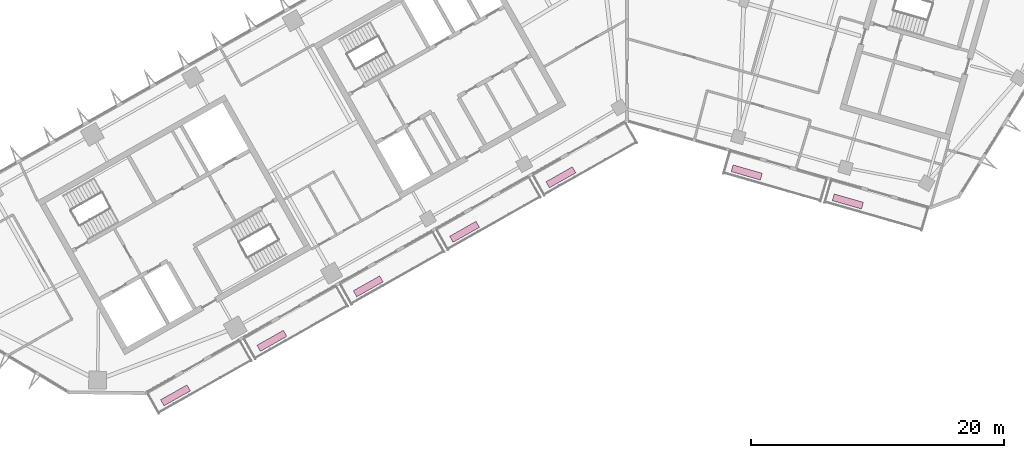
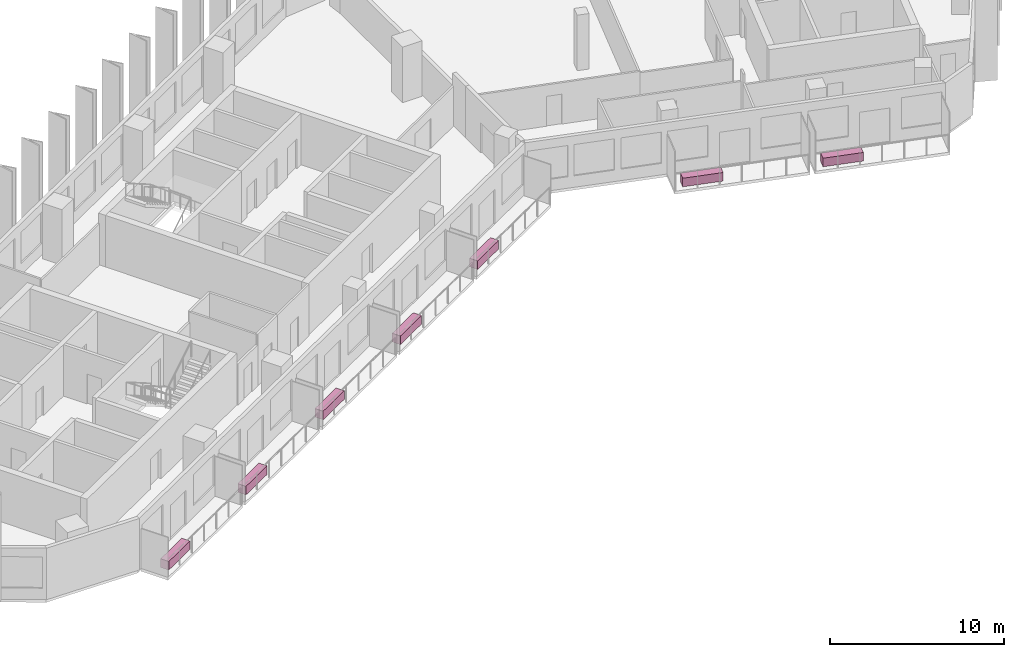
# One storey, part 12 of 12: 7 furnishings.
"""IFC4 building model written with IfcOpenShell, lengths in metres."""

import ifcopenshell
import ifcopenshell.guid

model = None  # the IFC model being written
_history = None  # IfcOwnerHistory: only IFC2X3 demands one
_inside = {}  # id of a spatial element -> (the spatial element, [elements in it])
_under = {}  # id of a project, library or spatial element -> (it, [spatial elements below it])
_declared = {}  # id of a project -> (the project, [libraries it declares])
_typed = {}  # id of a type object -> (the type object, [elements of that type])
_made_of = {}  # id of a material, layer set ... -> (it, [elements and type objects made of it])


def new_model(schema):
    """Start an empty IFC model of exactly this schema.

    Asked for "IFC4X3", IfcOpenShell would pick the latest addendum, in which some entities
    have other attributes; the version numbers below select the first issue.
    IFC2X3 requires an IfcOwnerHistory on every rooted entity: one is made here for all.
    """
    global model, _history
    if schema == "IFC4X3":
        model = ifcopenshell.file(schema_version=(4, 3, 0, 0))
    else:
        model = ifcopenshell.file(schema=schema)
    _inside.clear()
    _under.clear()
    _declared.clear()
    _typed.clear()
    _made_of.clear()
    _history = None
    if model.schema == "IFC2X3":
        org = make("IfcOrganization", Name="unknown")
        user = make(
            "IfcPersonAndOrganization",
            ThePerson=make("IfcPerson", FamilyName="unknown"),
            TheOrganization=org,
        )
        app = make(
            "IfcApplication",
            ApplicationDeveloper=org,
            Version="unknown",
            ApplicationFullName="unknown",
            ApplicationIdentifier="unknown",
        )
        _history = make(
            "IfcOwnerHistory",
            OwningUser=user,
            OwningApplication=app,
            ChangeAction="ADDED",
            CreationDate=0,
        )
    return model


def make(cls, **values):
    """One entity of the class cls with the attributes given. An attribute that is None is left unset."""
    return model.create_entity(
        cls, **{name: value for name, value in values.items() if value is not None}
    )


def rooted(cls, **values):
    """An entity with a GlobalId (a new one), such as an element, a storey or a relation."""
    return make(cls, GlobalId=ifcopenshell.guid.new(), OwnerHistory=_history, **values)


def si_unit(unit_type, name, prefix=None):
    """IfcSIUnit, for example si_unit("LENGTHUNIT", "METRE", prefix="MILLI")."""
    return make("IfcSIUnit", UnitType=unit_type, Prefix=prefix, Name=name)


def assignment(units):
    """IfcUnitAssignment: the units of a project."""
    return None if units is None else make("IfcUnitAssignment", Units=units)


def point(xyz):
    """IfcCartesianPoint."""
    return None if xyz is None else make("IfcCartesianPoint", Coordinates=xyz)


def direction(xyz):
    """IfcDirection."""
    return None if xyz is None else make("IfcDirection", DirectionRatios=xyz)


def frame(location, z_axis=None, x_axis=None):
    """IfcAxis2Placement3D, a coordinate frame: its origin and axes. An axis left out is left unset."""
    return make(
        "IfcAxis2Placement3D",
        Location=point(location),
        Axis=direction(z_axis),
        RefDirection=direction(x_axis),
    )


def frame_2d(location, x_axis=None):
    """IfcAxis2Placement2D, a coordinate frame in the plane: its origin and x axis."""
    return make(
        "IfcAxis2Placement2D", Location=point(location), RefDirection=direction(x_axis)
    )


def origin():
    """The frame at (0, 0, 0) with its axes left unset."""
    return frame((0.0, 0.0, 0.0))


def origin_2d():
    """The frame at (0, 0) in the plane with its x axis left unset."""
    return frame_2d((0.0, 0.0))


def place(relative_to, where):
    """IfcLocalPlacement: puts the frame where relative to a parent placement (None: the world)."""
    return make(
        "IfcLocalPlacement", PlacementRelTo=relative_to, RelativePlacement=where
    )


def context(
    kind, dimensions, precision=None, world=None, true_north=None, identifier=None
):
    """IfcGeometricRepresentationContext, for example the 3D "Model" context."""
    return make(
        "IfcGeometricRepresentationContext",
        ContextIdentifier=identifier,
        ContextType=kind,
        CoordinateSpaceDimension=dimensions,
        Precision=precision,
        WorldCoordinateSystem=world,
        TrueNorth=true_north,
    )


def subcontext(parent, identifier, kind, view, scale=None):
    """IfcGeometricRepresentationSubContext, for example "Body" below "Model"."""
    return make(
        "IfcGeometricRepresentationSubContext",
        ContextIdentifier=identifier,
        ContextType=kind,
        ParentContext=parent,
        TargetScale=scale,
        TargetView=view,
    )


def project(units=None, contexts=None):
    """IfcProject with its units and contexts."""
    return rooted(
        "IfcProject",
        Name="project",
        RepresentationContexts=contexts,
        UnitsInContext=assignment(units),
    )


def spatial(cls, under=None, at=None, **own):
    """A site, building, storey or space (cls), placed at a placement, below another one or the project."""
    s = rooted(cls, ObjectPlacement=at, **own)
    if under is not None:
        _under.setdefault(under.id(), (under, []))[1].append(s)
    return s


def profile(cls, at=None, kind="AREA", **sizes):
    """A parametric profile (cls). Its sizes go by their IFC names, for example OverallWidth=200.0."""
    return make(cls, ProfileType=kind, Position=at, **sizes)


def rectangle(**sizes):
    """IfcRectangleProfileDef."""
    return profile("IfcRectangleProfileDef", **sizes)


def extrude(swept, where, along, depth):
    """IfcExtrudedAreaSolid: the profile swept, set in the frame where, extruded along a direction by depth."""
    return make(
        "IfcExtrudedAreaSolid",
        SweptArea=swept,
        Position=where,
        ExtrudedDirection=direction(along),
        Depth=depth,
    )


def shape(context_of_items, identifier, shape_type, items):
    """IfcShapeRepresentation: the items that make up one representation, for example the "Body"."""
    return make(
        "IfcShapeRepresentation",
        ContextOfItems=context_of_items,
        RepresentationIdentifier=identifier,
        RepresentationType=shape_type,
        Items=items,
    )


def material(Name=None, Category=None):
    """IfcMaterial."""
    return make("IfcMaterial", Name=Name, Category=Category)


def made_of(thing, what):
    """Note that an element or type object is made of a material, layer set ...; save() writes the relation."""
    if what is not None:
        _made_of.setdefault(what.id(), (what, []))[1].append(thing)
    return thing


def type_object(cls, material=None, **own):
    """A type object (cls), such as IfcWallType, which elements share."""
    return made_of(rooted(cls, **own), material)


def element(
    cls,
    number,
    at=None,
    inside=None,
    cuts=None,
    type_object=None,
    material=None,
    context=None,
    identifier="Body",
    shape_type=None,
    held_by="IfcProductDefinitionShape",
    body=None,
    shapes=None,
    **own,
):
    """One element of the class cls, such as IfcWall. Its Tag is "e" and its number.

    at: its placement. inside: the storey or other place that contains it. cuts: it is an
    opening in that element (IfcRelVoidsElement). A single representation is given by context,
    identifier, shape_type and body (its items); several are given by shapes. held_by: the class
    of the entity that holds the representations. save() writes the other relations.
    """
    e = rooted(cls, Tag="e%d" % number, ObjectPlacement=at, **own)
    if body is not None:
        shapes = [shape(context, identifier, shape_type, body)]
    if shapes is not None:
        e.Representation = make(held_by, Representations=shapes)
    if inside is not None:
        _inside.setdefault(inside.id(), (inside, []))[1].append(e)
    if cuts is not None:
        rooted(
            "IfcRelVoidsElement", RelatingBuildingElement=cuts, RelatedOpeningElement=e
        )
    if type_object is not None:
        _typed.setdefault(type_object.id(), (type_object, []))[1].append(e)
    return made_of(e, material)


def aggregate(whole, parts):
    """IfcRelAggregates: a whole, such as a stair, and the parts it consists of."""
    return rooted("IfcRelAggregates", RelatingObject=whole, RelatedObjects=parts)


def save(model, path):
    """Write the relations noted so far, then the file.

    IfcRelAggregates (storeys below a building ...), IfcRelContainedInSpatialStructure (elements
    in a storey), IfcRelDefinesByType, IfcRelAssociatesMaterial and IfcRelDeclares: one each for
    every whole, place, type object, material and project.
    """
    for whole, parts in _under.values():
        aggregate(whole, parts)
    for where, things in _inside.values():
        rooted(
            "IfcRelContainedInSpatialStructure",
            RelatedElements=things,
            RelatingStructure=where,
        )
    for kind, things in _typed.values():
        rooted("IfcRelDefinesByType", RelatedObjects=things, RelatingType=kind)
    for what, things in _made_of.values():
        rooted("IfcRelAssociatesMaterial", RelatedObjects=things, RelatingMaterial=what)
    for by, libraries in _declared.values():
        rooted("IfcRelDeclares", RelatingContext=by, RelatedDefinitions=libraries)
    model.write(path)


model = new_model("IFC4")

# Units and contexts
model_context = context("Model", 3, precision=1e-05, world=origin(), true_north=direction((0.0, 1.0)))
body_context = subcontext(model_context, "Body", "Model", "MODEL_VIEW")
ifc_project = project(units=[si_unit("LENGTHUNIT", "METRE"), si_unit("AREAUNIT", "SQUARE_METRE"), si_unit("VOLUMEUNIT", "CUBIC_METRE"), si_unit("PLANEANGLEUNIT", "RADIAN"), si_unit("MASSUNIT", "GRAM", prefix="KILO")], contexts=[model_context])

# Site, building, storey
site_placement = place(None, origin())
site = spatial("IfcSite", under=ifc_project, at=site_placement, CompositionType="ELEMENT")
building_placement = place(site_placement, origin())
building = spatial("IfcBuilding", under=site, at=building_placement, Name="Binnacle Exchange Tower", CompositionType="ELEMENT")
storey_placement = place(building_placement, frame((0.0, 0.0, 238.699951171875)))
storey = spatial("IfcBuildingStorey", under=building, at=storey_placement, Name="L52", CompositionType="ELEMENT", Elevation=238.699951171875)

# Furnishings
ifc_material = material(Name="Concrete C35/45", Category="concrete")
furnishing_element_type = type_object("IfcFurnishingElementType", Name="PLANTER 2400x550x600", material=ifc_material)
for number, where, z_axis, x_axis, name in (
    (1, (-35.698486328125, 26.2861328125, 0.0), (0.0, 0.0, 1.0), (0.87035569594, 0.492423560103, 0.0), "Planter G01-B00a L52"),
    (2, (-28.078857421875, 30.59716796875, 0.0), (0.0, 0.0, 1.0), (0.87035569594, 0.492423560103, 0.0), "Planter G01-B01a L52"),
    (3, (-20.459228515625, 34.908203125, 0.0), (0.0, 0.0, 1.0), (0.87035569594, 0.492423560103, 0.0), "Planter G01-B02a L52"),
    (4, (-12.839599609375, 39.218994140625, 0.0), (0.0, 0.0, 1.0), (0.87035569594, 0.492423560103, 0.0), "Planter G01-B03a L52"),
    (5, (-5.22021484375, 43.530029296875, 0.0), (0.0, 0.0, 1.0), (0.87035569594, 0.492423560103, 0.0), "Planter G01-B04a L52"),
    (6, (9.474609375, 43.909912109375, 0.0), (0.0, 0.0, 1.0), (0.961261695938, -0.275637355817, 0.0), "Planter G02-B01a L52"),
    (7, (17.47265625, 41.61669921875, 0.0), (0.0, 0.0, 1.0), (0.961261695938, -0.275637355817, 0.0), "Planter G02-B02a L52"),
):
    element("IfcFurnishingElement", number, at=place(storey_placement, frame(where, z_axis=z_axis, x_axis=x_axis)), inside=storey, type_object=furnishing_element_type, Name=name, ObjectType="PLANTER", context=body_context, shape_type="SweptSolid", body=[
        extrude(rectangle(XDim=2.39990234375, YDim=0.550048828125, at=origin_2d()), origin(), (0.0, 0.0, 1.0), 0.60009765625),
    ])

save(model, "model.ifc")
